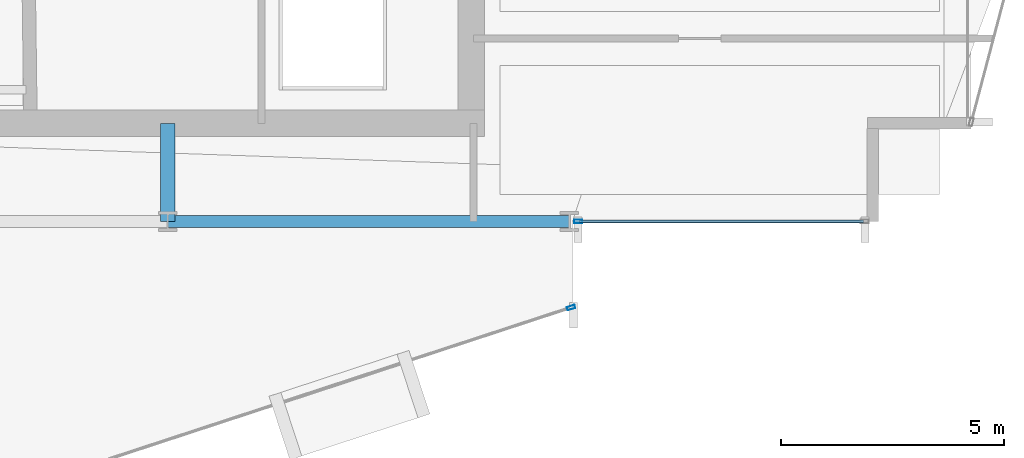
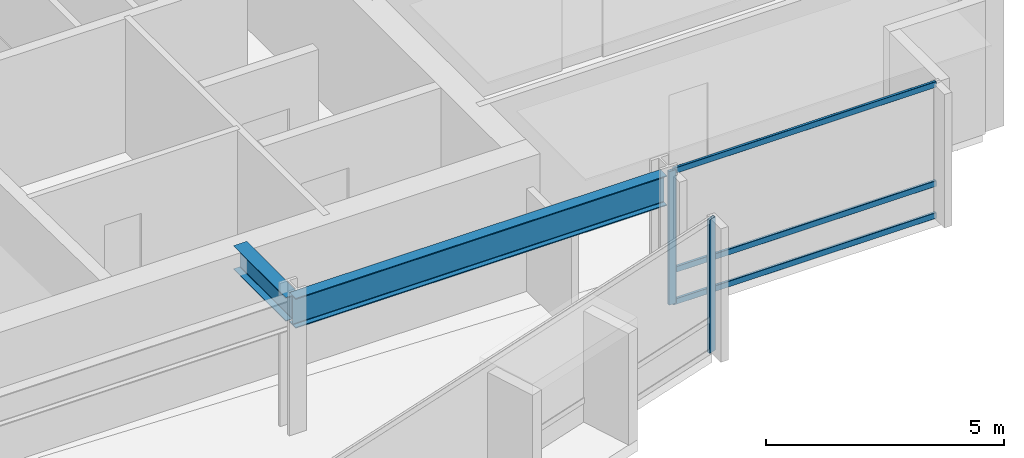
# One storey, part 10 of 29: 5 members, 2 beams, 2 elements without a shape of their own.
"""IFC4 building model written with IfcOpenShell, lengths in metres."""

from ifc_helpers import new_model, si_unit, direction, frame, origin, origin_2d, place, context, subcontext, project, spatial, hollow_rectangle, i_section, extrude, material, layer, layer_set, material_profile, profile_set, type_object, element, aggregate, save


model = new_model("IFC4")

# Units and contexts
model_context = context("Model", 3, precision=1e-05, world=origin(), true_north=direction((0.0, 1.0)))
body_context = subcontext(model_context, "Body", "Model", "MODEL_VIEW")
ifc_project = project(units=[si_unit("LENGTHUNIT", "METRE"), si_unit("AREAUNIT", "SQUARE_METRE"), si_unit("VOLUMEUNIT", "CUBIC_METRE"), si_unit("PLANEANGLEUNIT", "RADIAN"), si_unit("MASSUNIT", "GRAM", prefix="KILO")], contexts=[model_context])

# Site, building, storey
site_placement = place(None, origin())
site = spatial("IfcSite", under=ifc_project, at=site_placement, CompositionType="ELEMENT")
building_placement = place(site_placement, origin())
building = spatial("IfcBuilding", under=site, at=building_placement, Name="Solvaryn Broadcast Tower", CompositionType="ELEMENT")
storey_placement = place(building_placement, frame((0.0, 0.0, 117.39990234375)))
storey = spatial("IfcBuildingStorey", under=building, at=storey_placement, Name="L28", CompositionType="ELEMENT", Elevation=117.39990234375)

# Beams
ifc_material_1 = material(Name="Steel ASTM A992 Grade 50", Category="steel")
ifc_material_profile_1 = material_profile(ifc_material_1, i_section(OverallWidth=0.323974609375, OverallDepth=0.611083984375, WebThickness=0.0126953125, FlangeThickness=0.01904296875, FilletRadius=0.014892578125, at=origin_2d()))
ifc_profile_set_1 = profile_set([ifc_material_profile_1], Name="Steel ASTM A992 Grade 50")
beam_type_1 = type_object("IfcBeamType", Name="BM-B1-W24X104", PredefinedType="BEAM", material=ifc_profile_set_1)
beam_1_placement = place(storey_placement, frame((36.0, 9.0, 3.114501953125), z_axis=(0.0, 1.0, 0.0), x_axis=(-1.0, 0.0, 0.0)))
element("IfcBeam", 1, at=beam_1_placement, inside=storey, type_object=beam_type_1, Name="L28 Core Tie Beam CTE1", PredefinedType="BEAM", context=body_context, shape_type="SweptSolid", body=[
    extrude(i_section(OverallWidth=0.323974609375, OverallDepth=0.611083984375, WebThickness=0.0126953125, FlangeThickness=0.01904296875, FilletRadius=0.014892578125, at=origin_2d()), origin(), (0.0, 0.0, 1.0), 2.199951171875),
])
ifc_material_2 = material(Name="Steel ASTM A992 Grade 50", Category="steel")
ifc_material_profile_2 = material_profile(ifc_material_2, i_section(OverallWidth=0.26708984375, OverallDepth=0.76611328125, WebThickness=0.014892578125, FlangeThickness=0.023681640625, FilletRadius=0.01806640625, at=origin_2d()))
ifc_profile_set_2 = profile_set([ifc_material_profile_2], Name="Steel ASTM A992 Grade 50")
beam_type_2 = type_object("IfcBeamType", Name="BM-SP2-W30X124", PredefinedType="USERDEFINED", material=ifc_profile_set_2)
beam_2_placement = place(storey_placement, frame((36.0, 9.0, 3.037109375), z_axis=(1.0, 0.0, 0.0), x_axis=(0.0, 1.0, 0.0)))
element("IfcBeam", 2, at=beam_2_placement, inside=storey, type_object=beam_type_2, Name="L28 Spandrel Beam X (36-45 @ Y=9)", ObjectType="SPANDREL", PredefinedType="USERDEFINED", context=body_context, shape_type="SweptSolid", body=[
    extrude(i_section(OverallWidth=0.26708984375, OverallDepth=0.76611328125, WebThickness=0.014892578125, FlangeThickness=0.023681640625, FilletRadius=0.01806640625, at=origin_2d()), origin(), (0.0, 0.0, 1.0), 9.0),
])

# Curtain wall, member
ifc_material_3 = material(Name="Aluminium and Terracotta Unitised Curtain Wall", Category="masonry")
ifc_layer = layer(ifc_material_3, 0.199951171875)
ifc_layer_set = layer_set([ifc_layer], Name="CW-SYS2-LOWMID")
curtain_wall_type = type_object("IfcCurtainWallType", Name="CW-SYS2-LOWMID", PredefinedType="NOTDEFINED", material=ifc_layer_set)
curtain_wall_1_placement = place(storey_placement, origin())
curtain_wall_1 = element("IfcCurtainWall", 3, at=curtain_wall_1_placement, inside=storey, type_object=curtain_wall_type, Name="L28 Curtain Wall DR4", PredefinedType="NOTDEFINED")
ifc_material_4 = material(Name="Anodised Aluminium 6063-T6", Category="aluminium")
ifc_material_profile_3 = material_profile(ifc_material_4, hollow_rectangle(XDim=0.074951171875, YDim=0.179931640625, WallThickness=0.00390625, InnerFilletRadius=0.00390625, OuterFilletRadius=0.008056640625, at=origin_2d()))
ifc_profile_set_3 = profile_set([ifc_material_profile_3], Name="Anodised Aluminium 6063-T6")
member_type_1 = type_object("IfcMemberType", Name="CW-MUL-180", PredefinedType="MULLION", material=ifc_profile_set_3)
member_1_placement = place(storey_placement, frame((45.03857421875, 7.069580078125, 0.0), z_axis=(0.0, 0.0, 1.0), x_axis=(-0.311646057547, 0.950198260794, 0.0)))
member_1 = element("IfcMember", 4, at=member_1_placement, type_object=member_type_1, Name="CWS2 mullion 2", PredefinedType="MULLION", context=body_context, shape_type="SweptSolid", body=[
    extrude(hollow_rectangle(XDim=0.074951171875, YDim=0.179931640625, WallThickness=0.00390625, InnerFilletRadius=0.00390625, OuterFilletRadius=0.008056640625, at=origin_2d()), origin(), (0.0, 0.0, 1.0), 3.420166015625),
])
aggregate(curtain_wall_1, [member_1])

# Curtain wall, members
curtain_wall_2_placement = place(storey_placement, origin())
curtain_wall_2 = element("IfcCurtainWall", 5, at=curtain_wall_2_placement, inside=storey, type_object=curtain_wall_type, Name="L28 Curtain Wall S2", PredefinedType="NOTDEFINED")
member_2_placement = place(storey_placement, frame((45.197021484375, 9.0, 0.0), z_axis=(0.0, 0.0, 1.0), x_axis=(0.0, 1.0, 0.0)))
member_2 = element("IfcMember", 6, at=member_2_placement, type_object=member_type_1, Name="CWS2 mullion 1", PredefinedType="MULLION", context=body_context, shape_type="SweptSolid", body=[
    extrude(hollow_rectangle(XDim=0.074951171875, YDim=0.179931640625, WallThickness=0.00390625, InnerFilletRadius=0.00390625, OuterFilletRadius=0.008056640625, at=origin_2d()), origin(), (0.0, 0.0, 1.0), 3.420166015625),
])
ifc_material_5 = material(Name="Anodised Aluminium 6063-T6", Category="aluminium")
ifc_material_profile_4 = material_profile(ifc_material_5, hollow_rectangle(XDim=0.06494140625, YDim=0.14990234375, WallThickness=0.00390625, InnerFilletRadius=0.00390625, OuterFilletRadius=0.008056640625, at=origin_2d()))
ifc_profile_set_4 = profile_set([ifc_material_profile_4], Name="Anodised Aluminium 6063-T6")
member_type_2 = type_object("IfcMemberType", Name="CW-TRN-150", PredefinedType="USERDEFINED", material=ifc_profile_set_4)
member_3_placement = place(storey_placement, frame((45.22705078125, 9.0, 0.030029296875), z_axis=(1.0, 0.0, 0.0), x_axis=(0.0, 1.0, 0.0)))
member_3 = element("IfcMember", 7, at=member_3_placement, type_object=member_type_2, Name="CWS2 transom 1.1", ObjectType="TRANSOM", PredefinedType="USERDEFINED", context=body_context, shape_type="SweptSolid", body=[
    extrude(hollow_rectangle(XDim=0.06494140625, YDim=0.14990234375, WallThickness=0.00390625, InnerFilletRadius=0.00390625, OuterFilletRadius=0.008056640625, at=origin_2d()), origin(), (0.0, 0.0, 1.0), 6.363037109375),
])
member_4_placement = place(storey_placement, frame((45.22705078125, 9.0, 0.85009765625), z_axis=(1.0, 0.0, 0.0), x_axis=(0.0, 1.0, 0.0)))
member_4 = element("IfcMember", 8, at=member_4_placement, type_object=member_type_2, Name="CWS2 transom 1.2", ObjectType="TRANSOM", PredefinedType="USERDEFINED", context=body_context, shape_type="SweptSolid", body=[
    extrude(hollow_rectangle(XDim=0.06494140625, YDim=0.14990234375, WallThickness=0.00390625, InnerFilletRadius=0.00390625, OuterFilletRadius=0.008056640625, at=origin_2d()), origin(), (0.0, 0.0, 1.0), 6.363037109375),
])
member_5_placement = place(storey_placement, frame((45.22705078125, 9.0, 3.39013671875), z_axis=(1.0, 0.0, 0.0), x_axis=(0.0, 1.0, 0.0)))
member_5 = element("IfcMember", 9, at=member_5_placement, type_object=member_type_2, Name="CWS2 transom 1.3", ObjectType="TRANSOM", PredefinedType="USERDEFINED", context=body_context, shape_type="SweptSolid", body=[
    extrude(hollow_rectangle(XDim=0.06494140625, YDim=0.14990234375, WallThickness=0.00390625, InnerFilletRadius=0.00390625, OuterFilletRadius=0.008056640625, at=origin_2d()), origin(), (0.0, 0.0, 1.0), 6.363037109375),
])
aggregate(curtain_wall_2, [member_2, member_3, member_4, member_5])

save(model, "model.ifc")
